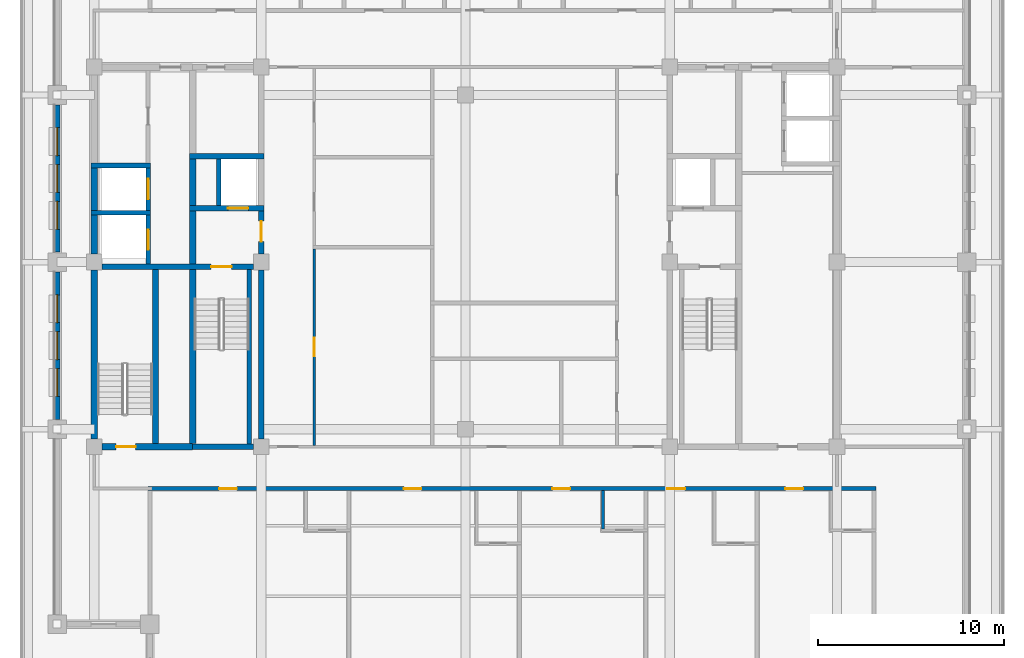
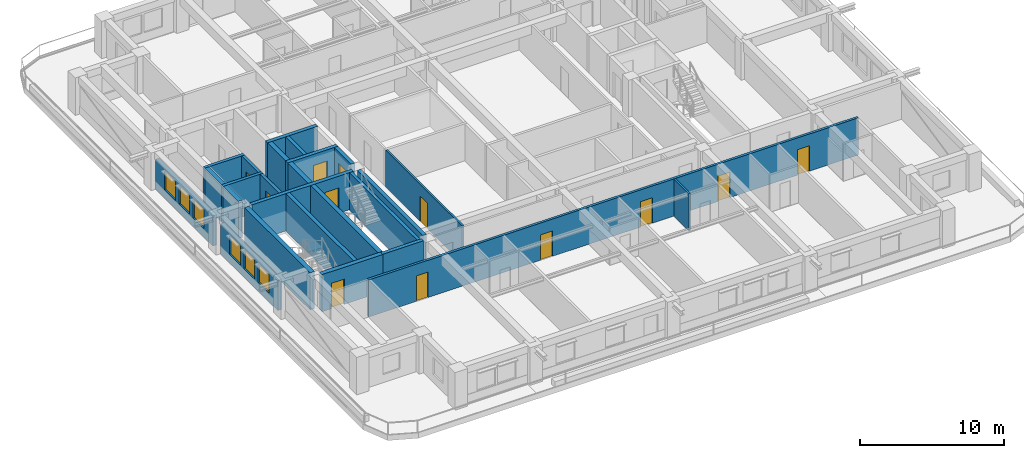
# One storey, part 3 of 14: 25 walls, 12 doors, 6 windows, 18 openings.
"""IFC4 building model written with IfcOpenShell, lengths in metres."""

from ifc_helpers import new_model, si_unit, direction, frame, frame_2d, origin, place, context, subcontext, project, spatial, rectangle, extrude, material, layer, layer_set, type_object, element, fill, save


model = new_model("IFC4")

# Units and contexts
model_context = context("Model", 3, precision=1e-05, world=origin(), true_north=direction((0.0, 1.0)))
body_context = subcontext(model_context, "Body", "Model", "MODEL_VIEW")
ifc_project = project(units=[si_unit("LENGTHUNIT", "METRE"), si_unit("AREAUNIT", "SQUARE_METRE"), si_unit("VOLUMEUNIT", "CUBIC_METRE"), si_unit("PLANEANGLEUNIT", "RADIAN"), si_unit("MASSUNIT", "GRAM", prefix="KILO")], contexts=[model_context])

# Site, building, storey
site_placement = place(None, origin())
site = spatial("IfcSite", under=ifc_project, at=site_placement, CompositionType="ELEMENT")
building_placement = place(site_placement, origin())
building = spatial("IfcBuilding", under=site, at=building_placement, Name="Zulmaris Gate Convention Tower", CompositionType="ELEMENT")
storey_placement = place(building_placement, frame((0.0, 0.0, 179.659912109375)))
storey = spatial("IfcBuildingStorey", under=building, at=storey_placement, Name="L46", CompositionType="ELEMENT", Elevation=179.659912109375)

# Walls
ifc_material_1 = material(Name="Concrete C50/60", Category="concrete")
ifc_layer_1 = layer(ifc_material_1, 0.25, Name="Concrete C50/60")
ifc_layer_set_1 = layer_set([ifc_layer_1], Name="Concrete C50/60")
wall_type_1 = type_object("IfcWallType", Name="CORE-250", PredefinedType="SOLIDWALL", material=ifc_layer_set_1)
for number, where, z_axis, x_axis, name in (
    (1, (-20.175048828125, 2.64990234375, 0.0), (0.0, 0.0, 1.0), (1.0, 0.0, 0.0), "WL-L46-007"),
    (2, (-20.175048828125, 5.199951171875, 0.0), (0.0, 0.0, 1.0), (1.0, 0.0, 0.0), "WL-L46-010"),
):
    element("IfcWall", number, at=place(storey_placement, frame(where, z_axis=z_axis, x_axis=x_axis)), inside=storey, type_object=wall_type_1, Name=name, PredefinedType="SOLIDWALL", context=body_context, shape_type="SweptSolid", body=[
        extrude(rectangle(XDim=3.199951171875, YDim=0.25, at=frame_2d((1.60009765625, 0.0))), origin(), (0.0, 0.0, 1.0), 3.14990234375),
    ])

# Wall, opening, door
wall_1_placement = place(storey_placement, frame((-17.10009765625, -0.097900390625, 0.0), z_axis=(0.0, 0.0, 1.0), x_axis=(0.0, 1.0, 0.0)))
wall_1 = element("IfcWall", 3, at=wall_1_placement, inside=storey, type_object=wall_type_1, Name="WL-L46-047", PredefinedType="SOLIDWALL", context=body_context, shape_type="SweptSolid", body=[
    extrude(rectangle(XDim=2.620849609375, YDim=0.25, at=frame_2d((1.310546875, 0.0))), origin(), (0.0, 0.0, 1.0), 3.14990234375),
])
opening_1_placement = place(wall_1_placement, frame((0.748046875, 0.0, 0.0)))
opening_1 = element("IfcOpeningElement", 4, at=opening_1_placement, cuts=wall_1, Name="Opening D-06", PredefinedType="OPENING", context=body_context, shape_type="SweptSolid", body=[
    extrude(rectangle(XDim=1.10009765625, YDim=2.199951171875, at=frame_2d((0.550048828125, 1.10009765625))), frame((0.0, 0.135009765625, 0.0), z_axis=(0.0, -1.0, 0.0), x_axis=(1.0, 0.0, 0.0)), (0.0, 0.0, 1.0), 0.27001953125),
])
ifc_material_2 = material(Name="Brushed Stainless Steel", Category="steel")
door_type_1 = type_object("IfcDoorType", Name="LD-1100", OperationType="NOTDEFINED", PredefinedType="DOOR", material=ifc_material_2)
door_1_placement = place(opening_1_placement, origin())
door_1 = element("IfcDoor", 5, at=door_1_placement, inside=storey, type_object=door_type_1, Name="L46 Lift Landing Door HP-03 10", OperationType="SLIDING_TO_LEFT", OverallHeight=2.199951171875, OverallWidth=1.10009765625, PredefinedType="DOOR", context=body_context, shape_type="SweptSolid", body=[
    extrude(rectangle(XDim=1.10009765625, YDim=2.199951171875, at=frame_2d((0.550048828125, 1.10009765625))), frame((0.0, 0.02490234375, 0.0), z_axis=(0.0, -1.0, 0.0), x_axis=(1.0, 0.0, 0.0)), (0.0, 0.0, 1.0), 0.050048828125),
])
fill(opening_1, door_1)

wall_2_placement = place(storey_placement, frame((-17.10009765625, 2.777099609375, 0.0), z_axis=(0.0, 0.0, 1.0), x_axis=(0.0, 1.0, 0.0)))
wall_2 = element("IfcWall", 6, at=wall_2_placement, inside=storey, type_object=wall_type_1, Name="WL-L46-048", PredefinedType="SOLIDWALL", context=body_context, shape_type="SweptSolid", body=[
    extrude(rectangle(XDim=2.2958984375, YDim=0.25, at=frame_2d((1.14794921875, 0.0))), origin(), (0.0, 0.0, 1.0), 3.14990234375),
])
opening_2_placement = place(wall_2_placement, frame((0.597900390625, 0.0, 0.0)))
opening_2 = element("IfcOpeningElement", 7, at=opening_2_placement, cuts=wall_2, Name="Opening D-06", PredefinedType="OPENING", context=body_context, shape_type="SweptSolid", body=[
    extrude(rectangle(XDim=1.10009765625, YDim=2.199951171875, at=frame_2d((0.550048828125, 1.10009765625))), frame((0.0, 0.135009765625, 0.0), z_axis=(0.0, -1.0, 0.0), x_axis=(1.0, 0.0, 0.0)), (0.0, 0.0, 1.0), 0.27001953125),
])
door_2_placement = place(opening_2_placement, origin())
door_2 = element("IfcDoor", 8, at=door_2_placement, inside=storey, type_object=door_type_1, Name="L46 Lift Landing Door HP-04 11", OperationType="SLIDING_TO_LEFT", OverallHeight=2.199951171875, OverallWidth=1.10009765625, PredefinedType="DOOR", context=body_context, shape_type="SweptSolid", body=[
    extrude(rectangle(XDim=1.10009765625, YDim=2.199951171875, at=frame_2d((0.550048828125, 1.10009765625))), frame((0.0, 0.02490234375, 0.0), z_axis=(0.0, -1.0, 0.0), x_axis=(1.0, 0.0, 0.0)), (0.0, 0.0, 1.0), 0.050048828125),
])
fill(opening_2, door_2)

# Walls
wall_3_placement = place(storey_placement, frame((-13.300048828125, 3.052001953125, 0.0), z_axis=(0.0, 0.0, 1.0), x_axis=(0.0, 1.0, 0.0)))
element("IfcWall", 9, at=wall_3_placement, inside=storey, type_object=wall_type_1, Name="WL-L46-054", PredefinedType="SOLIDWALL", context=body_context, shape_type="SweptSolid", body=[
    extrude(rectangle(XDim=2.49609375, YDim=0.25, at=frame_2d((1.248046875, 0.0))), origin(), (0.0, 0.0, 1.0), 3.14990234375),
])
wall_4_placement = place(storey_placement, frame((-11.64990234375, -9.798095703125, 0.0), z_axis=(0.0, 0.0, 1.0), x_axis=(0.0, 1.0, 0.0)))
element("IfcWall", 10, at=wall_4_placement, inside=storey, type_object=wall_type_1, Name="WL-L46-055", PredefinedType="SOLIDWALL", context=body_context, shape_type="SweptSolid", body=[
    extrude(rectangle(XDim=9.39599609375, YDim=0.25, at=frame_2d((4.697998046875, 0.0))), origin(), (0.0, 0.0, 1.0), 3.14990234375),
])
ifc_layer_2 = layer(ifc_material_1, 0.300048828125, Name="Concrete C50/60")
ifc_layer_set_2 = layer_set([ifc_layer_2], Name="Concrete C50/60")
wall_type_2 = type_object("IfcWallType", Name="CORE-300", PredefinedType="SHEAR", material=ifc_layer_set_2)
wall_5_placement = place(storey_placement, frame((-14.699951171875, -9.949951171875, 0.0), z_axis=(0.0, 0.0, 1.0), x_axis=(1.0, 0.0, 0.0)))
element("IfcWall", 11, at=wall_5_placement, inside=storey, type_object=wall_type_2, Name="WL-L46-002", PredefinedType="SHEAR", context=body_context, shape_type="SweptSolid", body=[
    extrude(rectangle(XDim=3.27099609375, YDim=0.300048828125, at=frame_2d((1.635498046875, 0.0))), origin(), (0.0, 0.0, 1.0), 3.14990234375),
])

# Wall, opening, door
wall_6_placement = place(storey_placement, frame((-19.571044921875, -0.25, 0.0), z_axis=(0.0, 0.0, 1.0), x_axis=(1.0, 0.0, 0.0)))
wall_6 = element("IfcWall", 12, at=wall_6_placement, inside=storey, type_object=wall_type_2, Name="WL-L46-005", PredefinedType="SHEAR", context=body_context, shape_type="SweptSolid", body=[
    extrude(rectangle(XDim=8.14208984375, YDim=0.300048828125, at=frame_2d((4.071044921875, 0.0))), origin(), (0.0, 0.0, 1.0), 3.14990234375),
])
opening_3_placement = place(wall_6_placement, frame((5.87109375, 0.0, 0.0)))
opening_3 = element("IfcOpeningElement", 13, at=opening_3_placement, cuts=wall_6, Name="Opening D-08", PredefinedType="OPENING", context=body_context, shape_type="SweptSolid", body=[
    extrude(rectangle(XDim=1.10009765625, YDim=2.14990234375, at=frame_2d((0.550048828125, 1.074951171875))), frame((0.0, 0.16015625, 0.0), z_axis=(0.0, -1.0, 0.0), x_axis=(1.0, 0.0, 0.0)), (0.0, 0.0, 1.0), 0.320068359375),
])
ifc_material_3 = material(Name="Fire-Rated Steel", Category="steel")
door_type_2 = type_object("IfcDoorType", Name="DR-1100-FD", OperationType="NOTDEFINED", PredefinedType="DOOR", material=ifc_material_3)
door_3_placement = place(opening_3_placement, origin())
door_3 = element("IfcDoor", 14, at=door_3_placement, inside=storey, type_object=door_type_2, Name="L46 Exit Stair ST-1 Door 01", OperationType="SINGLE_SWING_RIGHT", OverallHeight=2.14990234375, OverallWidth=1.10009765625, PredefinedType="DOOR", context=body_context, shape_type="SweptSolid", body=[
    extrude(rectangle(XDim=1.10009765625, YDim=2.14990234375, at=frame_2d((0.550048828125, 1.074951171875))), frame((0.0, 0.02490234375, 0.0), z_axis=(0.0, -1.0, 0.0), x_axis=(1.0, 0.0, 0.0)), (0.0, 0.0, 1.0), 0.050048828125),
])
fill(opening_3, door_3)

wall_7_placement = place(storey_placement, frame((-14.875, 2.89990234375, 0.0), z_axis=(0.0, 0.0, 1.0), x_axis=(1.0, 0.0, 0.0)))
wall_7 = element("IfcWall", 15, at=wall_7_placement, inside=storey, type_object=wall_type_2, Name="WL-L46-008", PredefinedType="SHEAR", context=body_context, shape_type="SweptSolid", body=[
    extrude(rectangle(XDim=4.02490234375, YDim=0.300048828125, at=frame_2d((2.012451171875, 0.0))), origin(), (0.0, 0.0, 1.0), 3.14990234375),
])
opening_4_placement = place(wall_7_placement, frame((2.074951171875, 0.0, 0.0)))
opening_4 = element("IfcOpeningElement", 16, at=opening_4_placement, cuts=wall_7, Name="Opening D-06", PredefinedType="OPENING", context=body_context, shape_type="SweptSolid", body=[
    extrude(rectangle(XDim=1.10009765625, YDim=2.199951171875, at=frame_2d((0.550048828125, 1.10009765625))), frame((0.0, 0.16015625, 0.0), z_axis=(0.0, -1.0, 0.0), x_axis=(1.0, 0.0, 0.0)), (0.0, 0.0, 1.0), 0.320068359375),
])
door_4_placement = place(opening_4_placement, origin())
door_4 = element("IfcDoor", 17, at=door_4_placement, inside=storey, type_object=door_type_1, Name="L46 Lift Landing Door LF-01 03", OperationType="SLIDING_TO_LEFT", OverallHeight=2.199951171875, OverallWidth=1.10009765625, PredefinedType="DOOR", context=body_context, shape_type="SweptSolid", body=[
    extrude(rectangle(XDim=1.10009765625, YDim=2.199951171875, at=frame_2d((0.550048828125, 1.10009765625))), frame((0.0, 0.02490234375, 0.0), z_axis=(0.0, -1.0, 0.0), x_axis=(1.0, 0.0, 0.0)), (0.0, 0.0, 1.0), 0.050048828125),
])
fill(opening_4, door_4)

# Walls
wall_8_placement = place(storey_placement, frame((-14.875, 5.699951171875, 0.0), z_axis=(0.0, 0.0, 1.0), x_axis=(1.0, 0.0, 0.0)))
element("IfcWall", 18, at=wall_8_placement, inside=storey, type_object=wall_type_2, Name="WL-L46-012", PredefinedType="SHEAR", context=body_context, shape_type="SweptSolid", body=[
    extrude(rectangle(XDim=4.02490234375, YDim=0.300048828125, at=frame_2d((2.012451171875, 0.0))), origin(), (0.0, 0.0, 1.0), 3.14990234375),
])
wall_9_placement = place(storey_placement, frame((-16.699951171875, -9.77294921875, 0.0), z_axis=(0.0, 0.0, 1.0), x_axis=(0.0, 1.0, 0.0)))
element("IfcWall", 19, at=wall_9_placement, inside=storey, type_object=wall_type_2, Name="WL-L46-049", PredefinedType="SHEAR", context=body_context, shape_type="SweptSolid", body=[
    extrude(rectangle(XDim=9.370849609375, YDim=0.300048828125, at=frame_2d((4.685546875, 0.0))), origin(), (0.0, 0.0, 1.0), 3.14990234375),
])
wall_10_placement = place(storey_placement, frame((-11.0, -9.52099609375, 0.0), z_axis=(0.0, 0.0, 1.0), x_axis=(0.0, 1.0, 0.0)))
element("IfcWall", 20, at=wall_10_placement, inside=storey, type_object=wall_type_2, Name="WL-L46-056", PredefinedType="SHEAR", context=body_context, shape_type="SweptSolid", body=[
    extrude(rectangle(XDim=9.092041015625, YDim=0.300048828125, at=frame_2d((4.5458984375, 0.0))), origin(), (0.0, 0.0, 1.0), 3.14990234375),
])

# Wall, opening, door
wall_11_placement = place(storey_placement, frame((-11.0, 0.428955078125, 0.0), z_axis=(0.0, 0.0, 1.0), x_axis=(0.0, 1.0, 0.0)))
wall_11 = element("IfcWall", 21, at=wall_11_placement, inside=storey, type_object=wall_type_2, Name="WL-L46-057", PredefinedType="SHEAR", context=body_context, shape_type="SweptSolid", body=[
    extrude(rectangle(XDim=2.319091796875, YDim=0.300048828125, at=frame_2d((1.15966796875, 0.0))), origin(), (0.0, 0.0, 1.0), 3.14990234375),
])
opening_5_placement = place(wall_11_placement, frame((0.6708984375, 0.0, 0.0)))
opening_5 = element("IfcOpeningElement", 22, at=opening_5_placement, cuts=wall_11, Name="Opening D-08", PredefinedType="OPENING", context=body_context, shape_type="SweptSolid", body=[
    extrude(rectangle(XDim=1.10009765625, YDim=2.14990234375, at=frame_2d((0.550048828125, 1.074951171875))), frame((0.0, 0.16015625, 0.0), z_axis=(0.0, -1.0, 0.0), x_axis=(1.0, 0.0, 0.0)), (0.0, 0.0, 1.0), 0.320068359375),
])
door_5_placement = place(opening_5_placement, origin())
door_5 = element("IfcDoor", 23, at=door_5_placement, inside=storey, type_object=door_type_2, Name="L46 West Firefighting Lobby Door 02", OperationType="SINGLE_SWING_LEFT", OverallHeight=2.14990234375, OverallWidth=1.10009765625, PredefinedType="DOOR", context=body_context, shape_type="SweptSolid", body=[
    extrude(rectangle(XDim=1.10009765625, YDim=2.14990234375, at=frame_2d((0.550048828125, 1.074951171875))), frame((0.0, 0.02490234375, 0.0), z_axis=(0.0, -1.0, 0.0), x_axis=(1.0, 0.0, 0.0)), (0.0, 0.0, 1.0), 0.050048828125),
])
fill(opening_5, door_5)

ifc_material_4 = material(Name="Concrete C55/67", Category="concrete")
ifc_layer_3 = layer(ifc_material_4, 0.35009765625, Name="Concrete C55/67")
ifc_layer_set_3 = layer_set([ifc_layer_3], Name="Concrete C55/67")
wall_type_3 = type_object("IfcWallType", Name="CORE-350", PredefinedType="SHEAR", material=ifc_layer_set_3)
wall_12_placement = place(storey_placement, frame((-19.571044921875, -9.949951171875, 0.0), z_axis=(0.0, 0.0, 1.0), x_axis=(1.0, 0.0, 0.0)))
wall_12 = element("IfcWall", 24, at=wall_12_placement, inside=storey, type_object=wall_type_3, Name="WL-L46-001", PredefinedType="SHEAR", context=body_context, shape_type="SweptSolid", body=[
    extrude(rectangle(XDim=4.87109375, YDim=0.35009765625, at=frame_2d((2.435546875, 0.0))), origin(), (0.0, 0.0, 1.0), 3.14990234375),
])
opening_6_placement = place(wall_12_placement, frame((0.74609375, 0.0, 0.0)))
opening_6 = element("IfcOpeningElement", 25, at=opening_6_placement, cuts=wall_12, Name="Opening D-09", PredefinedType="OPENING", context=body_context, shape_type="SweptSolid", body=[
    extrude(rectangle(XDim=1.050048828125, YDim=2.14990234375, at=frame_2d((0.52490234375, 1.074951171875))), frame((0.0, 0.18505859375, 0.0), z_axis=(0.0, -1.0, 0.0), x_axis=(1.0, 0.0, 0.0)), (0.0, 0.0, 1.0), 0.3701171875),
])
door_type_3 = type_object("IfcDoorType", Name="DR-1050-FD", OperationType="NOTDEFINED", PredefinedType="DOOR", material=ifc_material_3)
door_6_placement = place(opening_6_placement, origin())
door_6 = element("IfcDoor", 26, at=door_6_placement, inside=storey, type_object=door_type_3, Name="L46 Exit Stair ST-3 Door 09", OperationType="SINGLE_SWING_RIGHT", OverallHeight=2.14990234375, OverallWidth=1.050048828125, PredefinedType="DOOR", context=body_context, shape_type="SweptSolid", body=[
    extrude(rectangle(XDim=1.050048828125, YDim=2.14990234375, at=frame_2d((0.52490234375, 1.074951171875))), frame((0.0, 0.02490234375, 0.0), z_axis=(0.0, -1.0, 0.0), x_axis=(1.0, 0.0, 0.0)), (0.0, 0.0, 1.0), 0.050048828125),
])
fill(opening_6, door_6)

# Walls
wall_13_placement = place(storey_placement, frame((-20.0, -9.52099609375, 0.0), z_axis=(0.0, 0.0, 1.0), x_axis=(0.0, 1.0, 0.0)))
element("IfcWall", 27, at=wall_13_placement, inside=storey, type_object=wall_type_3, Name="WL-L46-043", PredefinedType="SHEAR", context=body_context, shape_type="SweptSolid", body=[
    extrude(rectangle(XDim=9.092041015625, YDim=0.35009765625, at=frame_2d((4.5458984375, 0.0))), origin(), (0.0, 0.0, 1.0), 3.14990234375),
])
wall_14_placement = place(storey_placement, frame((-20.0, 0.428955078125, 0.0), z_axis=(0.0, 0.0, 1.0), x_axis=(0.0, 1.0, 0.0)))
element("IfcWall", 28, at=wall_14_placement, inside=storey, type_object=wall_type_3, Name="WL-L46-044", PredefinedType="SHEAR", context=body_context, shape_type="SweptSolid", body=[
    extrude(rectangle(XDim=2.093994140625, YDim=0.35009765625, at=frame_2d((1.046875, 0.0))), origin(), (0.0, 0.0, 1.0), 3.14990234375),
])
wall_15_placement = place(storey_placement, frame((-20.0, 2.777099609375, 0.0), z_axis=(0.0, 0.0, 1.0), x_axis=(0.0, 1.0, 0.0)))
element("IfcWall", 29, at=wall_15_placement, inside=storey, type_object=wall_type_3, Name="WL-L46-045", PredefinedType="SHEAR", context=body_context, shape_type="SweptSolid", body=[
    extrude(rectangle(XDim=2.2958984375, YDim=0.35009765625, at=frame_2d((1.14794921875, 0.0))), origin(), (0.0, 0.0, 1.0), 3.14990234375),
])
wall_16_placement = place(storey_placement, frame((-14.699951171875, -9.77294921875, 0.0), z_axis=(0.0, 0.0, 1.0), x_axis=(0.0, 1.0, 0.0)))
element("IfcWall", 30, at=wall_16_placement, inside=storey, type_object=wall_type_3, Name="WL-L46-050", PredefinedType="SHEAR", context=body_context, shape_type="SweptSolid", body=[
    extrude(rectangle(XDim=9.370849609375, YDim=0.35009765625, at=frame_2d((4.685546875, 0.0))), origin(), (0.0, 0.0, 1.0), 3.14990234375),
])
wall_17_placement = place(storey_placement, frame((-14.699951171875, -0.097900390625, 0.0), z_axis=(0.0, 0.0, 1.0), x_axis=(0.0, 1.0, 0.0)))
element("IfcWall", 31, at=wall_17_placement, inside=storey, type_object=wall_type_3, Name="WL-L46-051", PredefinedType="SHEAR", context=body_context, shape_type="SweptSolid", body=[
    extrude(rectangle(XDim=2.845947265625, YDim=0.35009765625, at=frame_2d((1.4228515625, 0.0))), origin(), (0.0, 0.0, 1.0), 3.14990234375),
])
wall_18_placement = place(storey_placement, frame((-14.699951171875, 3.052001953125, 0.0), z_axis=(0.0, 0.0, 1.0), x_axis=(0.0, 1.0, 0.0)))
element("IfcWall", 32, at=wall_18_placement, inside=storey, type_object=wall_type_3, Name="WL-L46-052", PredefinedType="SHEAR", context=body_context, shape_type="SweptSolid", body=[
    extrude(rectangle(XDim=2.49609375, YDim=0.35009765625, at=frame_2d((1.248046875, 0.0))), origin(), (0.0, 0.0, 1.0), 3.14990234375),
])

# Wall, opening, door
ifc_material_5 = material(Name="Gypsum Metal Stud Partition")
ifc_layer_4 = layer(ifc_material_5, 0.14990234375, Name="Gypsum Metal Stud Partition")
ifc_layer_set_4 = layer_set([ifc_layer_4], Name="Gypsum Metal Stud Partition")
wall_type_4 = type_object("IfcWallType", Name="PART-150", PredefinedType="PARTITIONING", material=ifc_layer_set_4)
wall_19_placement = place(storey_placement, frame((-8.14990234375, -9.8720703125, 0.0), z_axis=(0.0, 0.0, 1.0), x_axis=(0.0, 1.0, 0.0)))
wall_19 = element("IfcWall", 33, at=wall_19_placement, inside=storey, type_object=wall_type_4, Name="WL-L46-082", PredefinedType="PARTITIONING", context=body_context, shape_type="SweptSolid", body=[
    extrude(rectangle(XDim=10.569091796875, YDim=0.14990234375, at=frame_2d((5.28466796875, 0.0))), origin(), (0.0, 0.0, 1.0), 3.14990234375),
])
opening_7_placement = place(wall_19_placement, frame((4.802001953125, 0.0, 0.0)))
opening_7 = element("IfcOpeningElement", 34, at=opening_7_placement, cuts=wall_19, Name="Opening D-10", PredefinedType="OPENING", context=body_context, shape_type="SweptSolid", body=[
    extrude(rectangle(XDim=1.0, YDim=2.14990234375, at=frame_2d((0.5, 1.074951171875))), frame((0.0, 0.0849609375, 0.0), z_axis=(0.0, -1.0, 0.0), x_axis=(1.0, 0.0, 0.0)), (0.0, 0.0, 1.0), 0.169921875),
])
ifc_material_6 = material(Name="Fire-Rated Timber", Category="wood")
door_type_4 = type_object("IfcDoorType", Name="DR-1000-FD", OperationType="NOTDEFINED", PredefinedType="DOOR", material=ifc_material_6)
door_7_placement = place(opening_7_placement, origin())
door_7 = element("IfcDoor", 35, at=door_7_placement, inside=storey, type_object=door_type_4, Name="L46 Guest Study Door 44", OperationType="SINGLE_SWING_LEFT", OverallHeight=2.14990234375, OverallWidth=1.0, PredefinedType="DOOR", context=body_context, shape_type="SweptSolid", body=[
    extrude(rectangle(XDim=1.0, YDim=2.14990234375, at=frame_2d((0.5, 1.074951171875))), frame((0.0, 0.02490234375, 0.0), z_axis=(0.0, -1.0, 0.0), x_axis=(1.0, 0.0, 0.0)), (0.0, 0.0, 1.0), 0.050048828125),
])
fill(opening_7, door_7)

# Wall
wall_20_placement = place(storey_placement, frame((7.39990234375, -14.3720703125, 0.0), z_axis=(0.0, 0.0, 1.0), x_axis=(0.0, 1.0, 0.0)))
element("IfcWall", 36, at=wall_20_placement, inside=storey, type_object=wall_type_4, Name="WL-L46-104", PredefinedType="PARTITIONING", context=body_context, shape_type="SweptSolid", body=[
    extrude(rectangle(XDim=2.069091796875, YDim=0.14990234375, at=frame_2d((1.03466796875, 0.0))), origin(), (0.0, 0.0, 1.0), 3.14990234375),
])

# Wall, openings, doors
ifc_material_7 = material(Name="Autoclaved Aerated Concrete Block and Plasterboard", Category="concrete")
ifc_layer_5 = layer(ifc_material_7, 0.199951171875, Name="Autoclaved Aerated Concrete Block and Plasterboard")
ifc_layer_set_5 = layer_set([ifc_layer_5], Name="Autoclaved Aerated Concrete Block and Plasterboard")
wall_type_5 = type_object("IfcWallType", Name="PART-200", PredefinedType="PARTITIONING", material=ifc_layer_set_5)
wall_21_placement = place(storey_placement, frame((-17.10009765625, -12.199951171875, 0.0), z_axis=(0.0, 0.0, 1.0), x_axis=(1.0, 0.0, 0.0)))
wall_21 = element("IfcWall", 37, at=wall_21_placement, inside=storey, type_object=wall_type_5, Name="WL-L46-025", PredefinedType="PARTITIONING", context=body_context, shape_type="SweptSolid", body=[
    extrude(rectangle(XDim=39.2001953125, YDim=0.199951171875, at=frame_2d((19.60009765625, 0.0))), origin(), (0.0, 0.0, 1.0), 3.14990234375),
])
opening_8_placement = place(wall_21_placement, frame((3.824951171875, 0.0, 0.0)))
opening_8 = element("IfcOpeningElement", 38, at=opening_8_placement, cuts=wall_21, Name="Opening D-11", PredefinedType="OPENING", context=body_context, shape_type="SweptSolid", body=[
    extrude(rectangle(XDim=0.949951171875, YDim=2.14990234375, at=frame_2d((0.47509765625, 1.074951171875))), frame((0.0, 0.10986328125, 0.0), z_axis=(0.0, -1.0, 0.0), x_axis=(1.0, 0.0, 0.0)), (0.0, 0.0, 1.0), 0.219970703125),
])
opening_9_placement = place(wall_21_placement, frame((13.77490234375, 0.0, 0.0)))
opening_9 = element("IfcOpeningElement", 39, at=opening_9_placement, cuts=wall_21, Name="Opening D-11", PredefinedType="OPENING", context=body_context, shape_type="SweptSolid", body=[
    extrude(rectangle(XDim=0.949951171875, YDim=2.14990234375, at=frame_2d((0.47509765625, 1.074951171875))), frame((0.0, 0.10986328125, 0.0), z_axis=(0.0, -1.0, 0.0), x_axis=(1.0, 0.0, 0.0)), (0.0, 0.0, 1.0), 0.219970703125),
])
opening_10_placement = place(wall_21_placement, frame((21.77490234375, 0.0, 0.0)))
opening_10 = element("IfcOpeningElement", 40, at=opening_10_placement, cuts=wall_21, Name="Opening D-11", PredefinedType="OPENING", context=body_context, shape_type="SweptSolid", body=[
    extrude(rectangle(XDim=0.949951171875, YDim=2.14990234375, at=frame_2d((0.47509765625, 1.074951171875))), frame((0.0, 0.10986328125, 0.0), z_axis=(0.0, -1.0, 0.0), x_axis=(1.0, 0.0, 0.0)), (0.0, 0.0, 1.0), 0.219970703125),
])
opening_11_placement = place(wall_21_placement, frame((27.97509765625, 0.0, 0.0)))
opening_11 = element("IfcOpeningElement", 41, at=opening_11_placement, cuts=wall_21, Name="Opening D-11", PredefinedType="OPENING", context=body_context, shape_type="SweptSolid", body=[
    extrude(rectangle(XDim=0.949951171875, YDim=2.14990234375, at=frame_2d((0.47509765625, 1.074951171875))), frame((0.0, 0.10986328125, 0.0), z_axis=(0.0, -1.0, 0.0), x_axis=(1.0, 0.0, 0.0)), (0.0, 0.0, 1.0), 0.219970703125),
])
opening_12_placement = place(wall_21_placement, frame((34.324951171875, 0.0, 0.0)))
opening_12 = element("IfcOpeningElement", 42, at=opening_12_placement, cuts=wall_21, Name="Opening D-11", PredefinedType="OPENING", context=body_context, shape_type="SweptSolid", body=[
    extrude(rectangle(XDim=0.949951171875, YDim=2.14990234375, at=frame_2d((0.47509765625, 1.074951171875))), frame((0.0, 0.10986328125, 0.0), z_axis=(0.0, -1.0, 0.0), x_axis=(1.0, 0.0, 0.0)), (0.0, 0.0, 1.0), 0.219970703125),
])
door_type_5 = type_object("IfcDoorType", Name="DR-950-FD", OperationType="NOTDEFINED", PredefinedType="DOOR", material=ifc_material_6)
door_8_placement = place(opening_8_placement, origin())
door_8 = element("IfcDoor", 43, at=door_8_placement, inside=storey, type_object=door_type_5, Name="L46 Hotel Executive Suite Door 32", OperationType="SINGLE_SWING_LEFT", OverallHeight=2.14990234375, OverallWidth=0.949951171875, PredefinedType="DOOR", context=body_context, shape_type="SweptSolid", body=[
    extrude(rectangle(XDim=0.949951171875, YDim=2.14990234375, at=frame_2d((0.47509765625, 1.074951171875))), frame((0.0, 0.02490234375, 0.0), z_axis=(0.0, -1.0, 0.0), x_axis=(1.0, 0.0, 0.0)), (0.0, 0.0, 1.0), 0.050048828125),
])
fill(opening_8, door_8)
door_9_placement = place(opening_9_placement, origin())
door_9 = element("IfcDoor", 44, at=door_9_placement, inside=storey, type_object=door_type_5, Name="L46 Hotel Executive Suite Door 34", OperationType="SINGLE_SWING_LEFT", OverallHeight=2.14990234375, OverallWidth=0.949951171875, PredefinedType="DOOR", context=body_context, shape_type="SweptSolid", body=[
    extrude(rectangle(XDim=0.949951171875, YDim=2.14990234375, at=frame_2d((0.47509765625, 1.074951171875))), frame((0.0, 0.02490234375, 0.0), z_axis=(0.0, -1.0, 0.0), x_axis=(1.0, 0.0, 0.0)), (0.0, 0.0, 1.0), 0.050048828125),
])
fill(opening_9, door_9)
door_10_placement = place(opening_10_placement, origin())
door_10 = element("IfcDoor", 45, at=door_10_placement, inside=storey, type_object=door_type_5, Name="L46 Hotel Executive Suite Door 36", OperationType="SINGLE_SWING_LEFT", OverallHeight=2.14990234375, OverallWidth=0.949951171875, PredefinedType="DOOR", context=body_context, shape_type="SweptSolid", body=[
    extrude(rectangle(XDim=0.949951171875, YDim=2.14990234375, at=frame_2d((0.47509765625, 1.074951171875))), frame((0.0, 0.02490234375, 0.0), z_axis=(0.0, -1.0, 0.0), x_axis=(1.0, 0.0, 0.0)), (0.0, 0.0, 1.0), 0.050048828125),
])
fill(opening_10, door_10)
door_11_placement = place(opening_11_placement, origin())
door_11 = element("IfcDoor", 46, at=door_11_placement, inside=storey, type_object=door_type_5, Name="L46 Hotel Executive Suite Door 38", OperationType="SINGLE_SWING_LEFT", OverallHeight=2.14990234375, OverallWidth=0.949951171875, PredefinedType="DOOR", context=body_context, shape_type="SweptSolid", body=[
    extrude(rectangle(XDim=0.949951171875, YDim=2.14990234375, at=frame_2d((0.47509765625, 1.074951171875))), frame((0.0, 0.02490234375, 0.0), z_axis=(0.0, -1.0, 0.0), x_axis=(1.0, 0.0, 0.0)), (0.0, 0.0, 1.0), 0.050048828125),
])
fill(opening_11, door_11)
door_12_placement = place(opening_12_placement, origin())
door_12 = element("IfcDoor", 47, at=door_12_placement, inside=storey, type_object=door_type_5, Name="L46 Hotel Executive Suite Door 40", OperationType="SINGLE_SWING_LEFT", OverallHeight=2.14990234375, OverallWidth=0.949951171875, PredefinedType="DOOR", context=body_context, shape_type="SweptSolid", body=[
    extrude(rectangle(XDim=0.949951171875, YDim=2.14990234375, at=frame_2d((0.47509765625, 1.074951171875))), frame((0.0, 0.02490234375, 0.0), z_axis=(0.0, -1.0, 0.0), x_axis=(1.0, 0.0, 0.0)), (0.0, 0.0, 1.0), 0.050048828125),
])
fill(opening_12, door_12)

# Wall, openings, windows
ifc_material_8 = material(Name="Precast concrete C40/50", Category="concrete")
ifc_layer_6 = layer(ifc_material_8, 0.300048828125, Name="Precast concrete C40/50")
ifc_layer_set_6 = layer_set([ifc_layer_6], Name="Precast concrete C40/50")
wall_type_6 = type_object("IfcWallType", Name="PRECAST-PIER-300", PredefinedType="STANDARD", material=ifc_layer_set_6)
wall_22_placement = place(storey_placement, frame((-22.0, -0.530029296875, 0.0), z_axis=(0.0, 0.0, 1.0), x_axis=(0.0, -1.0, 0.0)))
wall_22 = element("IfcWall", 48, at=wall_22_placement, inside=storey, type_object=wall_type_6, Name="EW-L46-W-1_0", PredefinedType="STANDARD", context=body_context, shape_type="SweptSolid", body=[
    extrude(rectangle(XDim=7.93994140625, YDim=0.300048828125, at=frame_2d((3.969970703125, 0.0))), origin(), (0.0, 0.0, 1.0), 2.5419921875),
])
opening_13_placement = place(wall_22_placement, frame((1.235107421875, 0.0, 0.719970703125)))
opening_13 = element("IfcOpeningElement", 49, at=opening_13_placement, cuts=wall_22, Name="Opening W-03", PredefinedType="OPENING", context=body_context, shape_type="SweptSolid", body=[
    extrude(rectangle(XDim=1.5, YDim=1.60009765625, at=frame_2d((0.75, 0.800048828125))), frame((0.0, 0.16015625, 0.0), z_axis=(0.0, -1.0, 0.0), x_axis=(1.0, 0.0, 0.0)), (0.0, 0.0, 1.0), 0.320068359375),
])
opening_14_placement = place(wall_22_placement, frame((3.219970703125, 0.0, 0.719970703125)))
opening_14 = element("IfcOpeningElement", 50, at=opening_14_placement, cuts=wall_22, Name="Opening W-03", PredefinedType="OPENING", context=body_context, shape_type="SweptSolid", body=[
    extrude(rectangle(XDim=1.5, YDim=1.60009765625, at=frame_2d((0.75, 0.800048828125))), frame((0.0, 0.16015625, 0.0), z_axis=(0.0, -1.0, 0.0), x_axis=(1.0, 0.0, 0.0)), (0.0, 0.0, 1.0), 0.320068359375),
])
opening_15_placement = place(wall_22_placement, frame((5.205078125, 0.0, 0.719970703125)))
opening_15 = element("IfcOpeningElement", 51, at=opening_15_placement, cuts=wall_22, Name="Opening W-03", PredefinedType="OPENING", context=body_context, shape_type="SweptSolid", body=[
    extrude(rectangle(XDim=1.5, YDim=1.60009765625, at=frame_2d((0.75, 0.800048828125))), frame((0.0, 0.16015625, 0.0), z_axis=(0.0, -1.0, 0.0), x_axis=(1.0, 0.0, 0.0)), (0.0, 0.0, 1.0), 0.320068359375),
])
ifc_material_9 = material(Name="Low-E Laminated Double Glazing in Aluminium Frame", Category="aluminium")
window_type = type_object("IfcWindowType", Name="WIN-1500x2100", PartitioningType="SINGLE_PANEL", PredefinedType="WINDOW", material=ifc_material_9)
window_1_placement = place(opening_13_placement, origin())
window_1 = element("IfcWindow", 52, at=window_1_placement, inside=storey, type_object=window_type, Name="WN-EW-L46-W-1_0-1", OverallHeight=1.60009765625, OverallWidth=1.5, PartitioningType="SINGLE_PANEL", PredefinedType="WINDOW", context=body_context, shape_type="SweptSolid", body=[
    extrude(rectangle(XDim=1.5, YDim=1.60009765625, at=frame_2d((0.75, 0.800048828125))), frame((0.0, 0.030029296875, 0.0), z_axis=(0.0, -1.0, 0.0), x_axis=(1.0, 0.0, 0.0)), (0.0, 0.0, 1.0), 0.06005859375),
])
fill(opening_13, window_1)
window_2_placement = place(opening_14_placement, origin())
window_2 = element("IfcWindow", 53, at=window_2_placement, inside=storey, type_object=window_type, Name="WN-EW-L46-W-1_0-2", OverallHeight=1.60009765625, OverallWidth=1.5, PartitioningType="SINGLE_PANEL", PredefinedType="WINDOW", context=body_context, shape_type="SweptSolid", body=[
    extrude(rectangle(XDim=1.5, YDim=1.60009765625, at=frame_2d((0.75, 0.800048828125))), frame((0.0, 0.030029296875, 0.0), z_axis=(0.0, -1.0, 0.0), x_axis=(1.0, 0.0, 0.0)), (0.0, 0.0, 1.0), 0.06005859375),
])
fill(opening_14, window_2)
window_3_placement = place(opening_15_placement, origin())
window_3 = element("IfcWindow", 54, at=window_3_placement, inside=storey, type_object=window_type, Name="WN-EW-L46-W-1_0-3", OverallHeight=1.60009765625, OverallWidth=1.5, PartitioningType="SINGLE_PANEL", PredefinedType="WINDOW", context=body_context, shape_type="SweptSolid", body=[
    extrude(rectangle(XDim=1.5, YDim=1.60009765625, at=frame_2d((0.75, 0.800048828125))), frame((0.0, 0.030029296875, 0.0), z_axis=(0.0, -1.0, 0.0), x_axis=(1.0, 0.0, 0.0)), (0.0, 0.0, 1.0), 0.06005859375),
])
fill(opening_15, window_3)

wall_23_placement = place(storey_placement, frame((-22.0, 8.469970703125, 0.0), z_axis=(0.0, 0.0, 1.0), x_axis=(0.0, -1.0, 0.0)))
wall_23 = element("IfcWall", 55, at=wall_23_placement, inside=storey, type_object=wall_type_6, Name="EW-L46-W-2_0", PredefinedType="STANDARD", context=body_context, shape_type="SweptSolid", body=[
    extrude(rectangle(XDim=7.93994140625, YDim=0.300048828125, at=frame_2d((3.969970703125, 0.0))), origin(), (0.0, 0.0, 1.0), 2.5419921875),
])
opening_16_placement = place(wall_23_placement, frame((1.235107421875, 0.0, 0.719970703125)))
opening_16 = element("IfcOpeningElement", 56, at=opening_16_placement, cuts=wall_23, Name="Opening W-03", PredefinedType="OPENING", context=body_context, shape_type="SweptSolid", body=[
    extrude(rectangle(XDim=1.5, YDim=1.60009765625, at=frame_2d((0.75, 0.800048828125))), frame((0.0, 0.16015625, 0.0), z_axis=(0.0, -1.0, 0.0), x_axis=(1.0, 0.0, 0.0)), (0.0, 0.0, 1.0), 0.320068359375),
])
opening_17_placement = place(wall_23_placement, frame((3.219970703125, 0.0, 0.719970703125)))
opening_17 = element("IfcOpeningElement", 57, at=opening_17_placement, cuts=wall_23, Name="Opening W-03", PredefinedType="OPENING", context=body_context, shape_type="SweptSolid", body=[
    extrude(rectangle(XDim=1.5, YDim=1.60009765625, at=frame_2d((0.75, 0.800048828125))), frame((0.0, 0.16015625, 0.0), z_axis=(0.0, -1.0, 0.0), x_axis=(1.0, 0.0, 0.0)), (0.0, 0.0, 1.0), 0.320068359375),
])
opening_18_placement = place(wall_23_placement, frame((5.205078125, 0.0, 0.719970703125)))
opening_18 = element("IfcOpeningElement", 58, at=opening_18_placement, cuts=wall_23, Name="Opening W-03", PredefinedType="OPENING", context=body_context, shape_type="SweptSolid", body=[
    extrude(rectangle(XDim=1.5, YDim=1.60009765625, at=frame_2d((0.75, 0.800048828125))), frame((0.0, 0.16015625, 0.0), z_axis=(0.0, -1.0, 0.0), x_axis=(1.0, 0.0, 0.0)), (0.0, 0.0, 1.0), 0.320068359375),
])
window_4_placement = place(opening_16_placement, origin())
window_4 = element("IfcWindow", 59, at=window_4_placement, inside=storey, type_object=window_type, Name="WN-EW-L46-W-2_0-1", OverallHeight=1.60009765625, OverallWidth=1.5, PartitioningType="SINGLE_PANEL", PredefinedType="WINDOW", context=body_context, shape_type="SweptSolid", body=[
    extrude(rectangle(XDim=1.5, YDim=1.60009765625, at=frame_2d((0.75, 0.800048828125))), frame((0.0, 0.030029296875, 0.0), z_axis=(0.0, -1.0, 0.0), x_axis=(1.0, 0.0, 0.0)), (0.0, 0.0, 1.0), 0.06005859375),
])
fill(opening_16, window_4)
window_5_placement = place(opening_17_placement, origin())
window_5 = element("IfcWindow", 60, at=window_5_placement, inside=storey, type_object=window_type, Name="WN-EW-L46-W-2_0-2", OverallHeight=1.60009765625, OverallWidth=1.5, PartitioningType="SINGLE_PANEL", PredefinedType="WINDOW", context=body_context, shape_type="SweptSolid", body=[
    extrude(rectangle(XDim=1.5, YDim=1.60009765625, at=frame_2d((0.75, 0.800048828125))), frame((0.0, 0.030029296875, 0.0), z_axis=(0.0, -1.0, 0.0), x_axis=(1.0, 0.0, 0.0)), (0.0, 0.0, 1.0), 0.06005859375),
])
fill(opening_17, window_5)
window_6_placement = place(opening_18_placement, origin())
window_6 = element("IfcWindow", 61, at=window_6_placement, inside=storey, type_object=window_type, Name="WN-EW-L46-W-2_0-3", OverallHeight=1.60009765625, OverallWidth=1.5, PartitioningType="SINGLE_PANEL", PredefinedType="WINDOW", context=body_context, shape_type="SweptSolid", body=[
    extrude(rectangle(XDim=1.5, YDim=1.60009765625, at=frame_2d((0.75, 0.800048828125))), frame((0.0, 0.030029296875, 0.0), z_axis=(0.0, -1.0, 0.0), x_axis=(1.0, 0.0, 0.0)), (0.0, 0.0, 1.0), 0.06005859375),
])
fill(opening_18, window_6)

save(model, "model.ifc")
